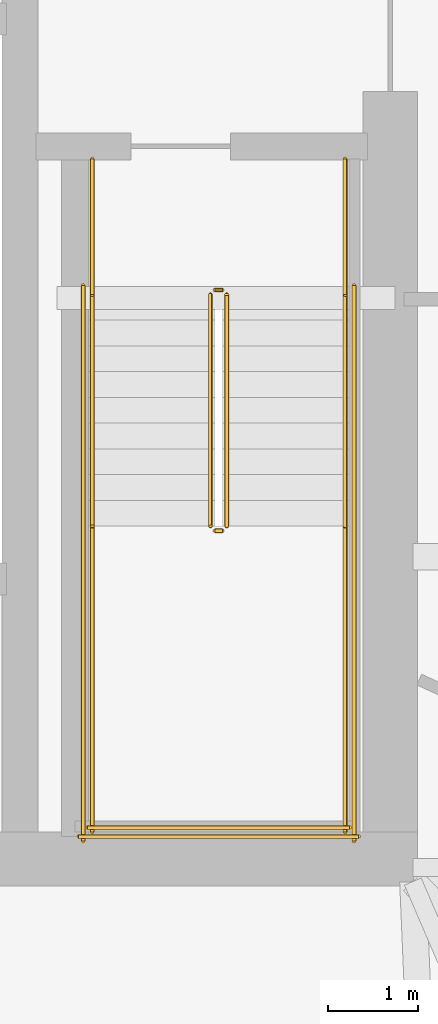
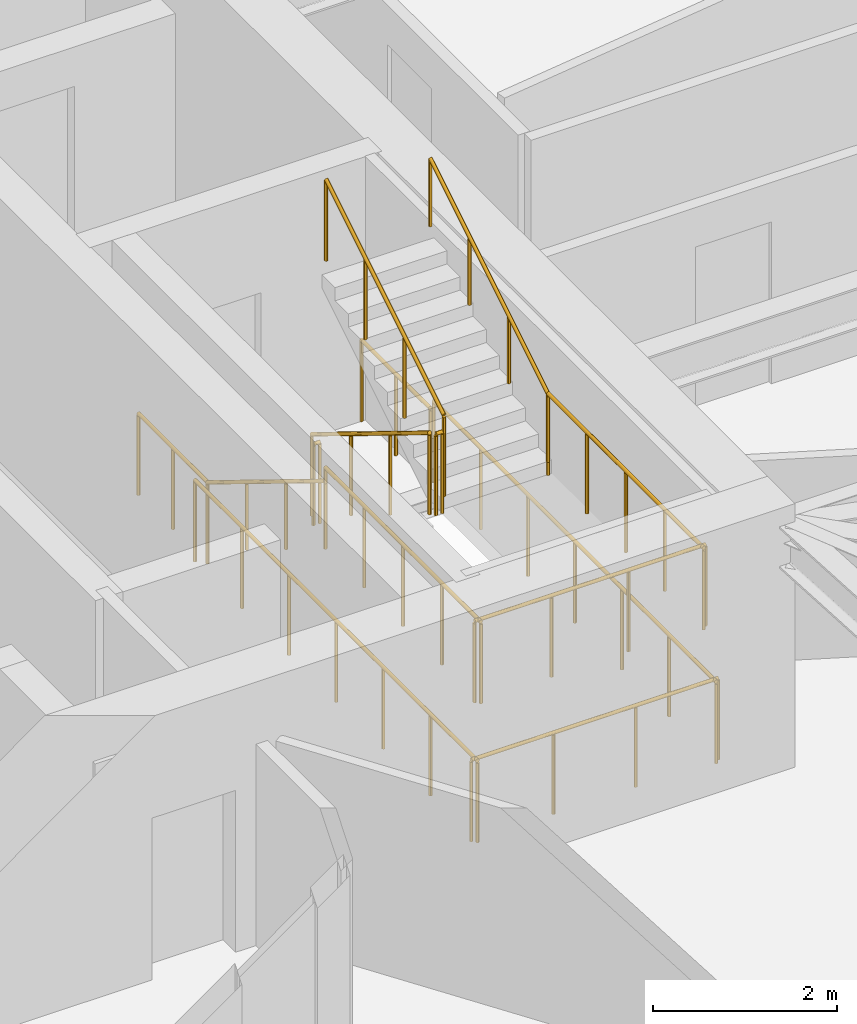
# One storey, part 21 of 22: 14 railings.
"""IFC4 building model written with IfcOpenShell, lengths in metres."""

import ifcopenshell
import ifcopenshell.guid

model = None  # the IFC model being written
_history = None  # IfcOwnerHistory: only IFC2X3 demands one
_inside = {}  # id of a spatial element -> (the spatial element, [elements in it])
_under = {}  # id of a project, library or spatial element -> (it, [spatial elements below it])
_declared = {}  # id of a project -> (the project, [libraries it declares])
_typed = {}  # id of a type object -> (the type object, [elements of that type])
_made_of = {}  # id of a material, layer set ... -> (it, [elements and type objects made of it])


def new_model(schema):
    """Start an empty IFC model of exactly this schema.

    Asked for "IFC4X3", IfcOpenShell would pick the latest addendum, in which some entities
    have other attributes; the version numbers below select the first issue.
    IFC2X3 requires an IfcOwnerHistory on every rooted entity: one is made here for all.
    """
    global model, _history
    if schema == "IFC4X3":
        model = ifcopenshell.file(schema_version=(4, 3, 0, 0))
    else:
        model = ifcopenshell.file(schema=schema)
    _inside.clear()
    _under.clear()
    _declared.clear()
    _typed.clear()
    _made_of.clear()
    _history = None
    if model.schema == "IFC2X3":
        org = make("IfcOrganization", Name="unknown")
        user = make(
            "IfcPersonAndOrganization",
            ThePerson=make("IfcPerson", FamilyName="unknown"),
            TheOrganization=org,
        )
        app = make(
            "IfcApplication",
            ApplicationDeveloper=org,
            Version="unknown",
            ApplicationFullName="unknown",
            ApplicationIdentifier="unknown",
        )
        _history = make(
            "IfcOwnerHistory",
            OwningUser=user,
            OwningApplication=app,
            ChangeAction="ADDED",
            CreationDate=0,
        )
    return model


def make(cls, **values):
    """One entity of the class cls with the attributes given. An attribute that is None is left unset."""
    return model.create_entity(
        cls, **{name: value for name, value in values.items() if value is not None}
    )


def rooted(cls, **values):
    """An entity with a GlobalId (a new one), such as an element, a storey or a relation."""
    return make(cls, GlobalId=ifcopenshell.guid.new(), OwnerHistory=_history, **values)


def si_unit(unit_type, name, prefix=None):
    """IfcSIUnit, for example si_unit("LENGTHUNIT", "METRE", prefix="MILLI")."""
    return make("IfcSIUnit", UnitType=unit_type, Prefix=prefix, Name=name)


def assignment(units):
    """IfcUnitAssignment: the units of a project."""
    return None if units is None else make("IfcUnitAssignment", Units=units)


def point(xyz):
    """IfcCartesianPoint."""
    return None if xyz is None else make("IfcCartesianPoint", Coordinates=xyz)


def direction(xyz):
    """IfcDirection."""
    return None if xyz is None else make("IfcDirection", DirectionRatios=xyz)


def frame(location, z_axis=None, x_axis=None):
    """IfcAxis2Placement3D, a coordinate frame: its origin and axes. An axis left out is left unset."""
    return make(
        "IfcAxis2Placement3D",
        Location=point(location),
        Axis=direction(z_axis),
        RefDirection=direction(x_axis),
    )


def frame_2d(location, x_axis=None):
    """IfcAxis2Placement2D, a coordinate frame in the plane: its origin and x axis."""
    return make(
        "IfcAxis2Placement2D", Location=point(location), RefDirection=direction(x_axis)
    )


def origin():
    """The frame at (0, 0, 0) with its axes left unset."""
    return frame((0.0, 0.0, 0.0))


def origin_2d():
    """The frame at (0, 0) in the plane with its x axis left unset."""
    return frame_2d((0.0, 0.0))


def place(relative_to, where):
    """IfcLocalPlacement: puts the frame where relative to a parent placement (None: the world)."""
    return make(
        "IfcLocalPlacement", PlacementRelTo=relative_to, RelativePlacement=where
    )


def context(
    kind, dimensions, precision=None, world=None, true_north=None, identifier=None
):
    """IfcGeometricRepresentationContext, for example the 3D "Model" context."""
    return make(
        "IfcGeometricRepresentationContext",
        ContextIdentifier=identifier,
        ContextType=kind,
        CoordinateSpaceDimension=dimensions,
        Precision=precision,
        WorldCoordinateSystem=world,
        TrueNorth=true_north,
    )


def subcontext(parent, identifier, kind, view, scale=None):
    """IfcGeometricRepresentationSubContext, for example "Body" below "Model"."""
    return make(
        "IfcGeometricRepresentationSubContext",
        ContextIdentifier=identifier,
        ContextType=kind,
        ParentContext=parent,
        TargetScale=scale,
        TargetView=view,
    )


def project(units=None, contexts=None):
    """IfcProject with its units and contexts."""
    return rooted(
        "IfcProject",
        Name="project",
        RepresentationContexts=contexts,
        UnitsInContext=assignment(units),
    )


def spatial(cls, under=None, at=None, **own):
    """A site, building, storey or space (cls), placed at a placement, below another one or the project."""
    s = rooted(cls, ObjectPlacement=at, **own)
    if under is not None:
        _under.setdefault(under.id(), (under, []))[1].append(s)
    return s


def profile(cls, at=None, kind="AREA", **sizes):
    """A parametric profile (cls). Its sizes go by their IFC names, for example OverallWidth=200.0."""
    return make(cls, ProfileType=kind, Position=at, **sizes)


def circle(**sizes):
    """IfcCircleProfileDef."""
    return profile("IfcCircleProfileDef", **sizes)


def extrude(swept, where, along, depth):
    """IfcExtrudedAreaSolid: the profile swept, set in the frame where, extruded along a direction by depth."""
    return make(
        "IfcExtrudedAreaSolid",
        SweptArea=swept,
        Position=where,
        ExtrudedDirection=direction(along),
        Depth=depth,
    )


def shape(context_of_items, identifier, shape_type, items):
    """IfcShapeRepresentation: the items that make up one representation, for example the "Body"."""
    return make(
        "IfcShapeRepresentation",
        ContextOfItems=context_of_items,
        RepresentationIdentifier=identifier,
        RepresentationType=shape_type,
        Items=items,
    )


def material(Name=None, Category=None):
    """IfcMaterial."""
    return make("IfcMaterial", Name=Name, Category=Category)


def made_of(thing, what):
    """Note that an element or type object is made of a material, layer set ...; save() writes the relation."""
    if what is not None:
        _made_of.setdefault(what.id(), (what, []))[1].append(thing)
    return thing


def type_object(cls, material=None, **own):
    """A type object (cls), such as IfcWallType, which elements share."""
    return made_of(rooted(cls, **own), material)


def element(
    cls,
    number,
    at=None,
    inside=None,
    cuts=None,
    type_object=None,
    material=None,
    context=None,
    identifier="Body",
    shape_type=None,
    held_by="IfcProductDefinitionShape",
    body=None,
    shapes=None,
    **own,
):
    """One element of the class cls, such as IfcWall. Its Tag is "e" and its number.

    at: its placement. inside: the storey or other place that contains it. cuts: it is an
    opening in that element (IfcRelVoidsElement). A single representation is given by context,
    identifier, shape_type and body (its items); several are given by shapes. held_by: the class
    of the entity that holds the representations. save() writes the other relations.
    """
    e = rooted(cls, Tag="e%d" % number, ObjectPlacement=at, **own)
    if body is not None:
        shapes = [shape(context, identifier, shape_type, body)]
    if shapes is not None:
        e.Representation = make(held_by, Representations=shapes)
    if inside is not None:
        _inside.setdefault(inside.id(), (inside, []))[1].append(e)
    if cuts is not None:
        rooted(
            "IfcRelVoidsElement", RelatingBuildingElement=cuts, RelatedOpeningElement=e
        )
    if type_object is not None:
        _typed.setdefault(type_object.id(), (type_object, []))[1].append(e)
    return made_of(e, material)


def aggregate(whole, parts):
    """IfcRelAggregates: a whole, such as a stair, and the parts it consists of."""
    return rooted("IfcRelAggregates", RelatingObject=whole, RelatedObjects=parts)


def save(model, path):
    """Write the relations noted so far, then the file.

    IfcRelAggregates (storeys below a building ...), IfcRelContainedInSpatialStructure (elements
    in a storey), IfcRelDefinesByType, IfcRelAssociatesMaterial and IfcRelDeclares: one each for
    every whole, place, type object, material and project.
    """
    for whole, parts in _under.values():
        aggregate(whole, parts)
    for where, things in _inside.values():
        rooted(
            "IfcRelContainedInSpatialStructure",
            RelatedElements=things,
            RelatingStructure=where,
        )
    for kind, things in _typed.values():
        rooted("IfcRelDefinesByType", RelatedObjects=things, RelatingType=kind)
    for what, things in _made_of.values():
        rooted("IfcRelAssociatesMaterial", RelatedObjects=things, RelatingMaterial=what)
    for by, libraries in _declared.values():
        rooted("IfcRelDeclares", RelatingContext=by, RelatedDefinitions=libraries)
    model.write(path)


model = new_model("IFC4")

# Units and contexts
model_context = context("Model", 3, precision=1e-05, world=origin(), true_north=direction((0.0, 1.0)))
body_context = subcontext(model_context, "Body", "Model", "MODEL_VIEW")
ifc_project = project(units=[si_unit("LENGTHUNIT", "METRE"), si_unit("AREAUNIT", "SQUARE_METRE"), si_unit("VOLUMEUNIT", "CUBIC_METRE"), si_unit("PLANEANGLEUNIT", "RADIAN"), si_unit("MASSUNIT", "GRAM", prefix="KILO")], contexts=[model_context])

# Site, building, storey
site_placement = place(None, origin())
site = spatial("IfcSite", under=ifc_project, at=site_placement, CompositionType="ELEMENT")
building_placement = place(site_placement, origin())
building = spatial("IfcBuilding", under=site, at=building_placement, Name="Bramvorn Convention Spire", CompositionType="ELEMENT")
storey_placement = place(building_placement, frame((0.0, 0.0, 137.800048828125)))
storey = spatial("IfcBuildingStorey", under=building, at=storey_placement, Name="L34", CompositionType="ELEMENT", Elevation=137.800048828125)

# Railings
ifc_material_1 = material(Name="Painted Steel Balustrade & Guardrail", Category="steel")
railing_type_1 = type_object("IfcRailingType", Name="RL-STAIR-GUARD-1100", PredefinedType="GUARDRAIL", material=ifc_material_1)
railing_1_placement = place(storey_placement, frame((47.010009765625, 25.050048828125, 0.175048828125)))
element("IfcRailing", 1, at=railing_1_placement, inside=storey, type_object=railing_type_1, Name="L34 ST2 stair guard 1", PredefinedType="GUARDRAIL", context=body_context, shape_type="SweptSolid", body=[
    extrude(circle(Radius=0.02392578125, at=origin_2d()), frame((0.0, 0.0, 1.076171875), z_axis=(0.0, -0.852173129349, 0.523259933127), x_axis=(1.0, 0.0, 0.0)), (0.0, 0.0, 1.0), 3.009765625),
    extrude(circle(Radius=0.02099609375, at=origin_2d()), origin(), (0.0, 0.0, 1.0), 1.052001953125),
    extrude(circle(Radius=0.02099609375, at=origin_2d()), frame((0.0, -0.85498046875, 0.52490234375)), (0.0, 0.0, 1.0), 1.052001953125),
    extrude(circle(Radius=0.02099609375, at=origin_2d()), frame((0.0, -1.7099609375, 1.050048828125)), (0.0, 0.0, 1.0), 1.052001953125),
    extrude(circle(Radius=0.02099609375, at=origin_2d()), frame((0.0, -2.56494140625, 1.574951171875)), (0.0, 0.0, 1.0), 1.052001953125),
])
railing_2_placement = place(storey_placement, frame((47.06005859375, 22.43505859375, 1.75)))
element("IfcRailing", 2, at=railing_2_placement, inside=storey, type_object=railing_type_1, Name="L34 ST2 stair guard 2", PredefinedType="GUARDRAIL", context=body_context, shape_type="SweptSolid", body=[
    extrude(circle(Radius=0.02392578125, at=origin_2d()), frame((0.0, 0.0, 1.076171875), z_axis=(1.0, 0.0, 0.0), x_axis=(0.0, 1.0, 0.0)), (0.0, 0.0, 1.0), 0.079833984375),
    extrude(circle(Radius=0.02099609375, at=origin_2d()), origin(), (0.0, 0.0, 1.0), 1.052001953125),
    extrude(circle(Radius=0.02099609375, at=origin_2d()), frame((0.079833984375, 0.0, 0.0)), (0.0, 0.0, 1.0), 1.052001953125),
])
for number, where, name in (
    (3, (45.699951171875, 22.485107421875, 1.75), "L34 ST2 stair guard 3"),
    (4, (48.5, 22.485107421875, 1.75), "L34 ST2 stair guard 4"),
):
    element("IfcRailing", number, at=place(storey_placement, frame(where)), inside=storey, type_object=railing_type_1, Name=name, PredefinedType="GUARDRAIL", context=body_context, shape_type="SweptSolid", body=[
        extrude(circle(Radius=0.02392578125, at=origin_2d()), frame((0.0, 0.0, 1.076171875), z_axis=(0.0, -1.0, 0.0), x_axis=(1.0, 0.0, 0.0)), (0.0, 0.0, 1.0), 3.385009765625),
        extrude(circle(Radius=0.02099609375, at=origin_2d()), origin(), (0.0, 0.0, 1.0), 1.052001953125),
        extrude(circle(Radius=0.02099609375, at=origin_2d()), frame((0.0, -0.84619140625, 0.0)), (0.0, 0.0, 1.0), 1.052001953125),
        extrude(circle(Radius=0.02099609375, at=origin_2d()), frame((0.0, -1.6923828125, 0.0)), (0.0, 0.0, 1.0), 1.052001953125),
        extrude(circle(Radius=0.02099609375, at=origin_2d()), frame((0.0, -2.538818359375, 0.0)), (0.0, 0.0, 1.0), 1.052001953125),
        extrude(circle(Radius=0.02099609375, at=origin_2d()), frame((0.0, -3.385009765625, 0.0)), (0.0, 0.0, 1.0), 1.052001953125),
    ])
railing_3_placement = place(storey_placement, frame((45.64990234375, 19.14990234375, 1.75)))
element("IfcRailing", 5, at=railing_3_placement, inside=storey, type_object=railing_type_1, Name="L34 ST2 stair guard 5", PredefinedType="GUARDRAIL", context=body_context, shape_type="SweptSolid", body=[
    extrude(circle(Radius=0.02392578125, at=origin_2d()), frame((0.0, 0.0, 1.076171875), z_axis=(1.0, 0.0, 0.0), x_axis=(0.0, 1.0, 0.0)), (0.0, 0.0, 1.0), 2.900146484375),
    extrude(circle(Radius=0.02099609375, at=origin_2d()), origin(), (0.0, 0.0, 1.0), 1.052001953125),
    extrude(circle(Radius=0.02099609375, at=origin_2d()), frame((0.966796875, 0.0, 0.0)), (0.0, 0.0, 1.0), 1.052001953125),
    extrude(circle(Radius=0.02099609375, at=origin_2d()), frame((1.933349609375, 0.0, 0.0)), (0.0, 0.0, 1.0), 1.052001953125),
    extrude(circle(Radius=0.02099609375, at=origin_2d()), frame((2.900146484375, 0.0, 0.0)), (0.0, 0.0, 1.0), 1.052001953125),
])
railing_4_placement = place(storey_placement, frame((47.18994140625, 22.485107421875, 1.925048828125)))
element("IfcRailing", 6, at=railing_4_placement, inside=storey, type_object=railing_type_1, Name="L34 ST2 stair guard 6", PredefinedType="GUARDRAIL", context=body_context, shape_type="SweptSolid", body=[
    extrude(circle(Radius=0.02392578125, at=origin_2d()), frame((0.0, 0.0, 1.076171875), z_axis=(0.0, 0.852173129349, 0.523259933127), x_axis=(-1.0, 0.0, 0.0)), (0.0, 0.0, 1.0), 3.009765625),
    extrude(circle(Radius=0.02099609375, at=origin_2d()), origin(), (0.0, 0.0, 1.0), 1.052001953125),
    extrude(circle(Radius=0.02099609375, at=origin_2d()), frame((0.0, 0.85498046875, 0.52490234375)), (0.0, 0.0, 1.0), 1.052001953125),
    extrude(circle(Radius=0.02099609375, at=origin_2d()), frame((0.0, 1.7099609375, 1.050048828125)), (0.0, 0.0, 1.0), 1.052001953125),
    extrude(circle(Radius=0.02099609375, at=origin_2d()), frame((0.0, 2.56494140625, 1.574951171875)), (0.0, 0.0, 1.0), 1.052001953125),
])
railing_5_placement = place(storey_placement, frame((47.06005859375, 25.10009765625, 0.0)))
element("IfcRailing", 7, at=railing_5_placement, inside=storey, type_object=railing_type_1, Name="L34 ST2 stair guard 7", PredefinedType="GUARDRAIL", context=body_context, shape_type="SweptSolid", body=[
    extrude(circle(Radius=0.02392578125, at=origin_2d()), frame((0.0, 0.0, 1.076171875), z_axis=(1.0, 0.0, 0.0), x_axis=(0.0, 1.0, 0.0)), (0.0, 0.0, 1.0), 0.079833984375),
    extrude(circle(Radius=0.02099609375, at=origin_2d()), origin(), (0.0, 0.0, 1.0), 1.052001953125),
    extrude(circle(Radius=0.02099609375, at=origin_2d()), frame((0.079833984375, 0.0, 0.0)), (0.0, 0.0, 1.0), 1.052001953125),
])
for number, where, name in (
    (8, (45.699951171875, 26.550048828125, 0.0), "L34 ST2 stair guard 8"),
    (9, (48.5, 26.550048828125, 0.0), "L34 ST2 stair guard 9"),
):
    element("IfcRailing", number, at=place(storey_placement, frame(where)), inside=storey, type_object=railing_type_1, Name=name, PredefinedType="GUARDRAIL", context=body_context, shape_type="SweptSolid", body=[
        extrude(circle(Radius=0.02392578125, at=origin_2d()), frame((0.0, 0.0, 1.076171875), z_axis=(0.0, -1.0, 0.0), x_axis=(1.0, 0.0, 0.0)), (0.0, 0.0, 1.0), 1.5),
        extrude(circle(Radius=0.02099609375, at=origin_2d()), origin(), (0.0, 0.0, 1.0), 1.052001953125),
        extrude(circle(Radius=0.02099609375, at=origin_2d()), frame((0.0, -0.75, 0.0)), (0.0, 0.0, 1.0), 1.052001953125),
        extrude(circle(Radius=0.02099609375, at=origin_2d()), frame((0.0, -1.5, 0.0)), (0.0, 0.0, 1.0), 1.052001953125),
    ])
for number, where, name in (
    (10, (45.60009765625, 25.14990234375, 0.0), "L34 ST2 stair guard 10"),
    (11, (48.60009765625, 25.14990234375, 0.0), "L34 ST2 stair guard 11"),
):
    element("IfcRailing", number, at=place(storey_placement, frame(where)), inside=storey, type_object=railing_type_1, Name=name, PredefinedType="GUARDRAIL", context=body_context, shape_type="SweptSolid", body=[
        extrude(circle(Radius=0.02392578125, at=origin_2d()), frame((0.0, 0.0, 1.076171875), z_axis=(0.0, -1.0, 0.0), x_axis=(1.0, 0.0, 0.0)), (0.0, 0.0, 1.0), 6.14990234375),
        extrude(circle(Radius=0.02099609375, at=origin_2d()), origin(), (0.0, 0.0, 1.0), 1.052001953125),
        extrude(circle(Radius=0.02099609375, at=origin_2d()), frame((0.0, -1.02490234375, 0.0)), (0.0, 0.0, 1.0), 1.052001953125),
        extrude(circle(Radius=0.02099609375, at=origin_2d()), frame((0.0, -2.050048828125, 0.0)), (0.0, 0.0, 1.0), 1.052001953125),
        extrude(circle(Radius=0.02099609375, at=origin_2d()), frame((0.0, -3.074951171875, 0.0)), (0.0, 0.0, 1.0), 1.052001953125),
        extrude(circle(Radius=0.02099609375, at=origin_2d()), frame((0.0, -4.099853515625, 0.0)), (0.0, 0.0, 1.0), 1.052001953125),
        extrude(circle(Radius=0.02099609375, at=origin_2d()), frame((0.0, -5.125, 0.0)), (0.0, 0.0, 1.0), 1.052001953125),
        extrude(circle(Radius=0.02099609375, at=origin_2d()), frame((0.0, -6.14990234375, 0.0)), (0.0, 0.0, 1.0), 1.052001953125),
    ])
railing_6_placement = place(storey_placement, frame((45.550048828125, 19.050048828125, 0.0)))
element("IfcRailing", 12, at=railing_6_placement, inside=storey, type_object=railing_type_1, Name="L34 ST2 stair guard 12", PredefinedType="GUARDRAIL", context=body_context, shape_type="SweptSolid", body=[
    extrude(circle(Radius=0.02392578125, at=origin_2d()), frame((0.0, 0.0, 1.076171875), z_axis=(1.0, 0.0, 0.0), x_axis=(0.0, 1.0, 0.0)), (0.0, 0.0, 1.0), 3.099853515625),
    extrude(circle(Radius=0.02099609375, at=origin_2d()), origin(), (0.0, 0.0, 1.0), 1.052001953125),
    extrude(circle(Radius=0.02099609375, at=origin_2d()), frame((1.033203125, 0.0, 0.0)), (0.0, 0.0, 1.0), 1.052001953125),
    extrude(circle(Radius=0.02099609375, at=origin_2d()), frame((2.066650390625, 0.0, 0.0)), (0.0, 0.0, 1.0), 1.052001953125),
    extrude(circle(Radius=0.02099609375, at=origin_2d()), frame((3.099853515625, 0.0, 0.0)), (0.0, 0.0, 1.0), 1.052001953125),
])
ifc_material_2 = material(Name="Brushed Bronze Tubular Handrail", Category="aluminium")
railing_type_2 = type_object("IfcRailingType", Name="RL-STAIR-HR-920", PredefinedType="HANDRAIL", material=ifc_material_2)
railing_7_placement = place(storey_placement, frame((45.699951171875, 25.050048828125, 0.175048828125)))
element("IfcRailing", 13, at=railing_7_placement, inside=storey, type_object=railing_type_2, Name="L34 ST2 stair handrail 1", PredefinedType="HANDRAIL", context=body_context, shape_type="SweptSolid", body=[
    extrude(circle(Radius=0.02392578125, at=origin_2d()), frame((0.0, 0.0, 0.89599609375), z_axis=(0.0, -0.852173129349, 0.523259933127), x_axis=(1.0, 0.0, 0.0)), (0.0, 0.0, 1.0), 3.009765625),
    extrude(circle(Radius=0.02099609375, at=origin_2d()), origin(), (0.0, 0.0, 1.0), 0.871826171875),
    extrude(circle(Radius=0.02099609375, at=origin_2d()), frame((0.0, -0.85498046875, 0.52490234375)), (0.0, 0.0, 1.0), 0.871826171875),
    extrude(circle(Radius=0.02099609375, at=origin_2d()), frame((0.0, -1.7099609375, 1.050048828125)), (0.0, 0.0, 1.0), 0.871826171875),
    extrude(circle(Radius=0.02099609375, at=origin_2d()), frame((0.0, -2.56494140625, 1.574951171875)), (0.0, 0.0, 1.0), 0.871826171875),
])
railing_8_placement = place(storey_placement, frame((48.5, 22.485107421875, 1.925048828125)))
element("IfcRailing", 14, at=railing_8_placement, inside=storey, type_object=railing_type_2, Name="L34 ST2 stair handrail 2", PredefinedType="HANDRAIL", context=body_context, shape_type="SweptSolid", body=[
    extrude(circle(Radius=0.02392578125, at=origin_2d()), frame((0.0, 0.0, 0.89599609375), z_axis=(0.0, 0.852173129349, 0.523259933127), x_axis=(-1.0, 0.0, 0.0)), (0.0, 0.0, 1.0), 3.009765625),
    extrude(circle(Radius=0.02099609375, at=origin_2d()), origin(), (0.0, 0.0, 1.0), 0.871826171875),
    extrude(circle(Radius=0.02099609375, at=origin_2d()), frame((0.0, 0.85498046875, 0.52490234375)), (0.0, 0.0, 1.0), 0.871826171875),
    extrude(circle(Radius=0.02099609375, at=origin_2d()), frame((0.0, 1.7099609375, 1.050048828125)), (0.0, 0.0, 1.0), 0.871826171875),
    extrude(circle(Radius=0.02099609375, at=origin_2d()), frame((0.0, 2.56494140625, 1.574951171875)), (0.0, 0.0, 1.0), 0.871826171875),
])

save(model, "model.ifc")
